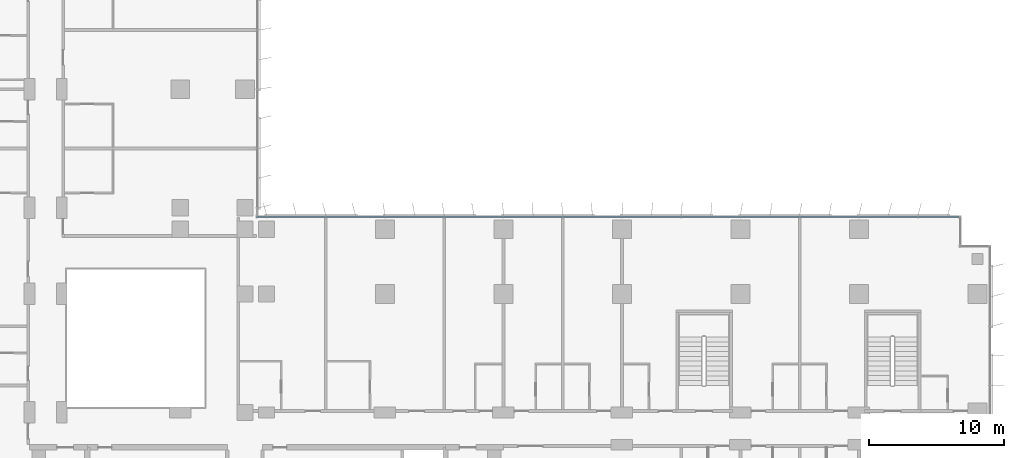
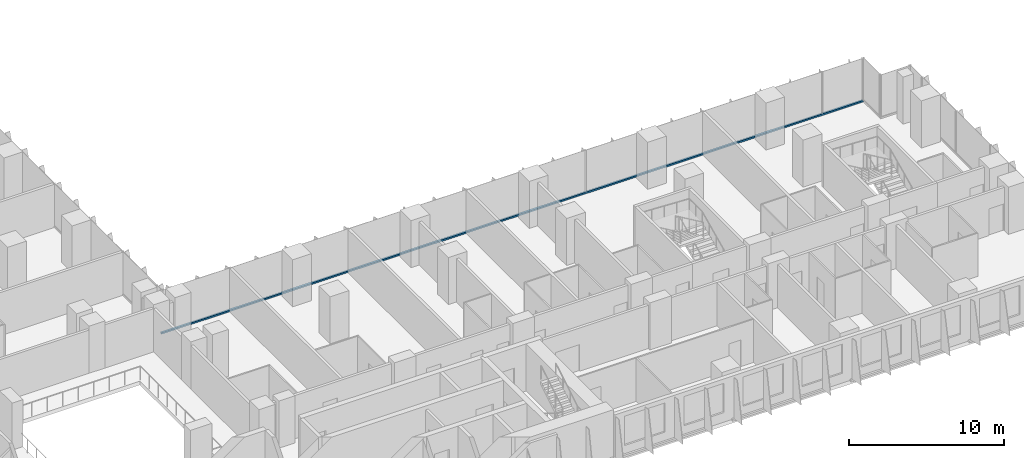
# One storey, part 3 of 24: 1 member, 1 element without a shape of its own.
"""IFC4 building model written with IfcOpenShell, lengths in metres."""

from ifc_helpers import new_model, si_unit, direction, frame, origin, origin_2d, place, context, subcontext, project, spatial, rectangle, extrude, material, material_profile, profile_set, type_object, element, aggregate, save


model = new_model("IFC4")

# Units and contexts
model_context = context("Model", 3, precision=1e-05, world=origin(), true_north=direction((0.0, 1.0)))
body_context = subcontext(model_context, "Body", "Model", "MODEL_VIEW")
ifc_project = project(units=[si_unit("LENGTHUNIT", "METRE"), si_unit("AREAUNIT", "SQUARE_METRE"), si_unit("VOLUMEUNIT", "CUBIC_METRE"), si_unit("PLANEANGLEUNIT", "RADIAN"), si_unit("MASSUNIT", "GRAM", prefix="KILO")], contexts=[model_context])

# Site, building, storey
site_placement = place(None, origin())
site = spatial("IfcSite", under=ifc_project, at=site_placement, CompositionType="ELEMENT")
building_placement = place(site_placement, origin())
building = spatial("IfcBuilding", under=site, at=building_placement, Name="Kemantara Hotel Tower", CompositionType="ELEMENT")
storey_placement = place(building_placement, frame((0.0, 0.0, 48.800048828125)))
storey = spatial("IfcBuildingStorey", under=building, at=storey_placement, Name="L10", CompositionType="ELEMENT", Elevation=48.800048828125)

# Curtain wall, member
ifc_material_1 = material(Name="Low-E tinted double insulated glass 36 mm", Category="glass")
curtain_wall_type = type_object("IfcCurtainWallType", Name="TOWER CURTAIN WALL, FRONT FACES", PredefinedType="USERDEFINED", material=ifc_material_1)
curtain_wall_placement = place(storey_placement, origin())
curtain_wall = element("IfcCurtainWall", 1, at=curtain_wall_placement, inside=storey, type_object=curtain_wall_type, Name="CW4 L10 T1-R07-1", ObjectType="TOWER CURTAIN WALL, FRONT FACES", PredefinedType="USERDEFINED")
ifc_material_2 = material(Name="Aluminium 6063-T6 bronze anodised", Category="aluminium")
ifc_material_profile = material_profile(ifc_material_2, rectangle(XDim=0.14990234375, YDim=0.1201171875, at=origin_2d()), Name="TOWER CURTAIN WALL, FRONT FACES TRANSOM")
ifc_profile_set = profile_set([ifc_material_profile], Name="Aluminium 6063-T6 bronze anodised")
member_type = type_object("IfcMemberType", Name="TOWER CURTAIN WALL, FRONT FACES TRANSOM", PredefinedType="USERDEFINED", material=ifc_profile_set)
member_placement = place(storey_placement, frame((78.85009765625, 26.72509765625, 0.06005859375), z_axis=(-1.0, 0.0, 0.0), x_axis=(0.0, -1.0, 0.0)))
member = element("IfcMember", 2, at=member_placement, type_object=member_type, Name="CW4 sill transom T1-R07-1", ObjectType="TRANSOM", PredefinedType="USERDEFINED", context=body_context, shape_type="SweptSolid", body=[
    extrude(rectangle(XDim=0.14990234375, YDim=0.1201171875, at=origin_2d()), origin(), (0.0, 0.0, 1.0), 52.2001953125),
])
aggregate(curtain_wall, [member])

save(model, "model.ifc")
